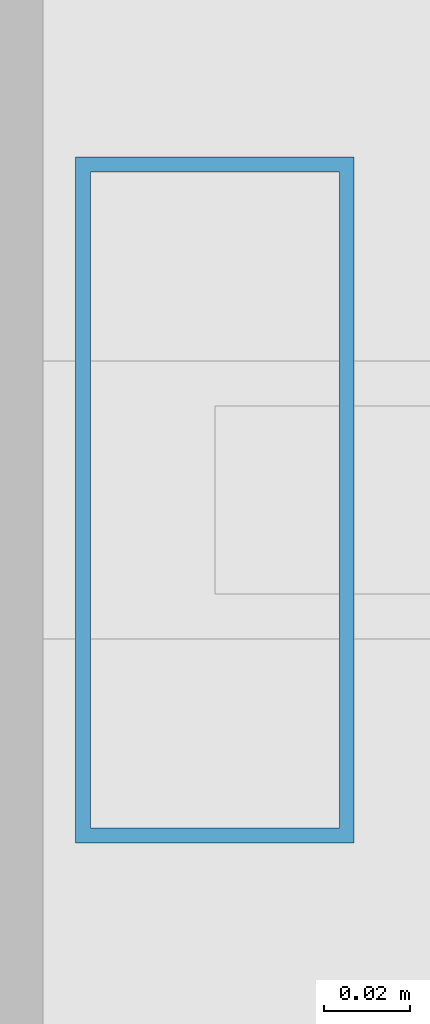
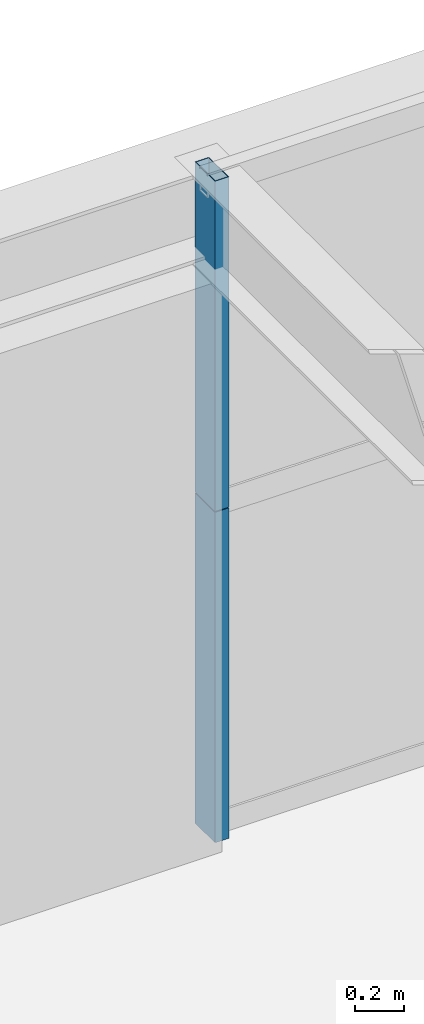
# One storey, part 21 of 33: 2 members, 1 element without a shape of its own.
"""IFC4 building model written with IfcOpenShell, lengths in metres."""

from ifc_helpers import new_model, si_unit, direction, frame, origin, origin_2d, place, context, subcontext, project, spatial, hollow_rectangle, extrude, source, transform, mapped, material, layer, layer_set, material_profile, profile_set, type_object, element, aggregate, save


model = new_model("IFC4")

# Units and contexts
model_context = context("Model", 3, precision=1e-05, world=origin(), true_north=direction((0.0, 1.0)))
body_context = subcontext(model_context, "Body", "Model", "MODEL_VIEW")
ifc_project = project(units=[si_unit("LENGTHUNIT", "METRE"), si_unit("AREAUNIT", "SQUARE_METRE"), si_unit("VOLUMEUNIT", "CUBIC_METRE"), si_unit("PLANEANGLEUNIT", "RADIAN"), si_unit("MASSUNIT", "GRAM", prefix="KILO"), si_unit("THERMODYNAMICTEMPERATUREUNIT", "KELVIN"), si_unit("POWERUNIT", "WATT")], contexts=[model_context])

# Site, building, storey
site_placement = place(None, origin())
site = spatial("IfcSite", under=ifc_project, at=site_placement, CompositionType="ELEMENT")
building_placement = place(site_placement, origin())
building = spatial("IfcBuilding", under=site, at=building_placement, Name="Yuzanri Waterfront Tower", CompositionType="ELEMENT")
storey_placement = place(building_placement, frame((0.0, 0.0, 234.60009765625)))
storey = spatial("IfcBuildingStorey", under=building, at=storey_placement, Name="L62", CompositionType="ELEMENT", Elevation=234.60009765625)

# Curtain wall, members
ifc_material_1 = material(Name="Anodized Architectural Bronze", Category="metal")
ifc_layer = layer(ifc_material_1, 0.159912109375)
ifc_layer_set = layer_set([ifc_layer], Name="Anodized Architectural Bronze")
curtain_wall_type = type_object("IfcCurtainWallType", Name="Anodized Bronze Mid-Rise Residential Acoustic Unitized Curtain Wall 7200", PredefinedType="NOTDEFINED", material=ifc_layer_set)
curtain_wall_placement = place(storey_placement, origin())
curtain_wall = element("IfcCurtainWall", 1, at=curtain_wall_placement, inside=storey, type_object=curtain_wall_type, Name="L62 Curtain Wall CW-L62-NL", PredefinedType="NOTDEFINED")
ifc_material_2 = material(Name="Anodized Architectural Bronze", Category="metal")
ifc_material_profile = material_profile(ifc_material_2, hollow_rectangle(XDim=0.06494140625, YDim=0.159912109375, WallThickness=0.00341796875, at=origin_2d()), Name="CWM 65x160")
ifc_profile_set = profile_set([ifc_material_profile], Name="Anodized Architectural Bronze")
member_type = type_object("IfcMemberType", Name="Anodized Bronze Upper-Zone Curtain-Wall Mullion 65x160", PredefinedType="MULLION", material=ifc_profile_set)
shared_shape = source(origin(), body_context, "Body", "SweptSolid", [
    extrude(hollow_rectangle(XDim=0.06494140625, YDim=0.159912109375, WallThickness=0.00341796875, at=origin_2d()), origin(), (0.0, 0.0, 1.0), 1.637939453125),
])
member_1_placement = place(storey_placement, frame((23.7900390625, 46.25, 0.0), z_axis=(0.0, 0.0, 1.0), x_axis=(1.0, 0.0, 0.0)))
member_1 = element("IfcMember", 2, at=member_1_placement, type_object=member_type, Name="CW-L62-NL Lower Mullion 00", PredefinedType="MULLION", context=body_context, shape_type="MappedRepresentation", body=[
    mapped(shared_shape, transform((0.0, 0.0, 0.0), scale=1.0)),
])
member_2_placement = place(storey_placement, frame((23.7900390625, 46.25, 1.641845703125), z_axis=(0.0, 0.0, 1.0), x_axis=(1.0, 0.0, 0.0)))
member_2 = element("IfcMember", 3, at=member_2_placement, type_object=member_type, Name="CW-L62-NL Upper Mullion 00", PredefinedType="MULLION", context=body_context, shape_type="MappedRepresentation", body=[
    mapped(shared_shape, transform((0.0, 0.0, 0.0), scale=1.0)),
])
aggregate(curtain_wall, [member_1, member_2])

save(model, "model.ifc")
